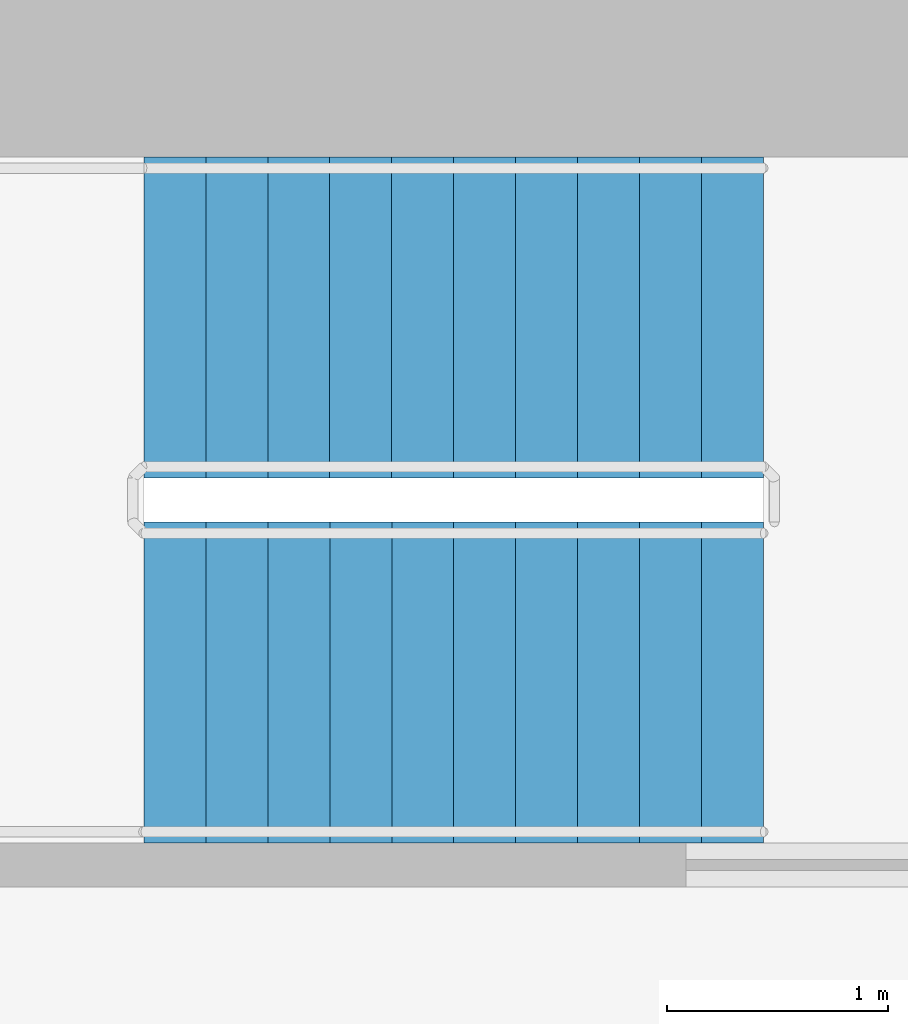
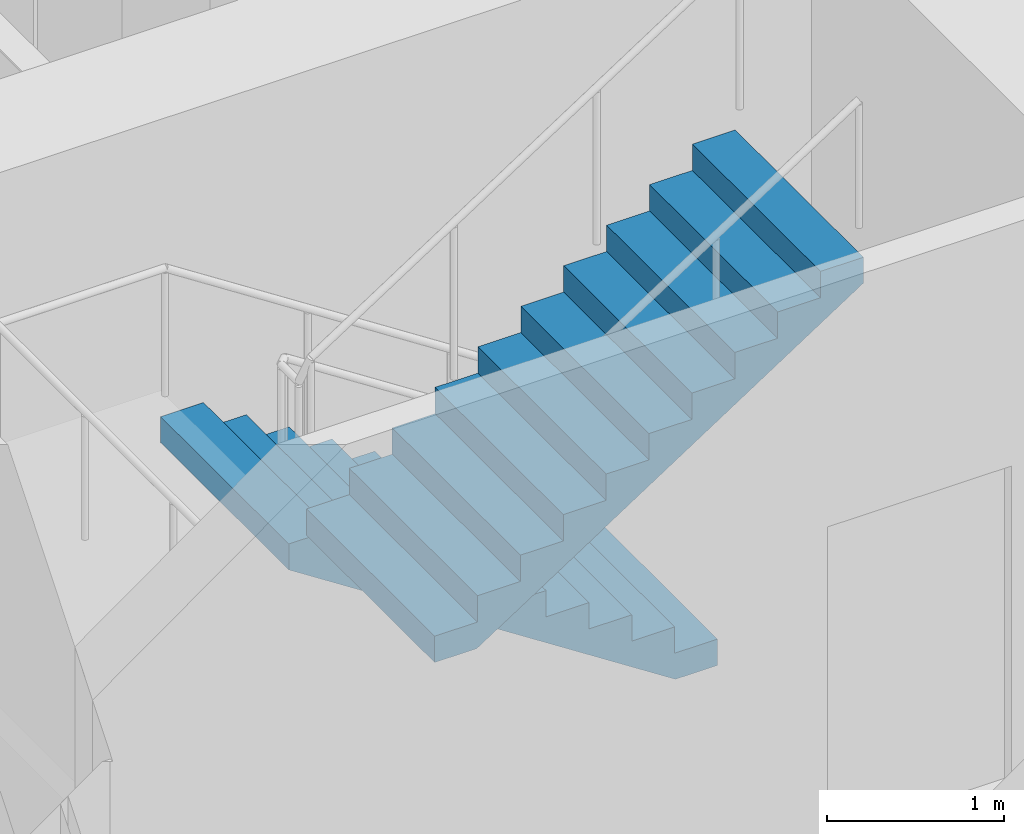
# One storey, part 10 of 12: 2 stair flights, 1 element without a shape of its own.
"""IFC4 building model written with IfcOpenShell, lengths in metres."""

from ifc_helpers import new_model, si_unit, direction, frame, origin, place, context, subcontext, project, spatial, polyline, outline, extrude, material, type_object, element, aggregate, save


model = new_model("IFC4")

# Units and contexts
model_context = context("Model", 3, precision=1e-05, world=origin(), true_north=direction((0.0, 1.0)))
body_context = subcontext(model_context, "Body", "Model", "MODEL_VIEW")
ifc_project = project(units=[si_unit("LENGTHUNIT", "METRE"), si_unit("AREAUNIT", "SQUARE_METRE"), si_unit("VOLUMEUNIT", "CUBIC_METRE"), si_unit("PLANEANGLEUNIT", "RADIAN"), si_unit("MASSUNIT", "GRAM", prefix="KILO")], contexts=[model_context])

# Site, building, storey
site_placement = place(None, origin())
site = spatial("IfcSite", under=ifc_project, at=site_placement, CompositionType="ELEMENT")
building_placement = place(site_placement, origin())
building = spatial("IfcBuilding", under=site, at=building_placement, Name="Verdant Reach Tower", CompositionType="ELEMENT")
storey_placement = place(building_placement, frame((0.0, 0.0, 246.0)))
storey = spatial("IfcBuildingStorey", under=building, at=storey_placement, Name="L56", CompositionType="ELEMENT", Elevation=246.0)

# Stair, stair flights
ifc_material = material(Name="Concrete C40/50", Category="concrete")
stair_type = type_object("IfcStairType", Name="CO-STAIR", PredefinedType="HALF_TURN_STAIR", material=ifc_material)
stair_placement = place(storey_placement, origin())
stair = element("IfcStair", 1, at=stair_placement, inside=storey, type_object=stair_type, Name="L56 Exit stair 3", PredefinedType="HALF_TURN_STAIR")
stair_flight_type = type_object("IfcStairFlightType", Name="CO-STAIR-FLIGHT", PredefinedType="STRAIGHT", material=ifc_material)
stair_flight_1_placement = place(storey_placement, frame((11.14990234375, 36.875, 0.0), z_axis=(0.0, 0.0, 1.0), x_axis=(-1.0, 0.0, 0.0)))
stair_flight_1 = element("IfcStairFlight", 2, at=stair_flight_1_placement, type_object=stair_flight_type, Name="ST-3 flight 1", NumberOfRisers=11, NumberOfTreads=10, PredefinedType="STRAIGHT", RiserHeight=0.181818182, TreadLength=0.28, context=body_context, shape_type="SweptSolid", body=[
    extrude(outline(polyline([(0.0, 0.0), (0.0, 0.181884765625), (0.280029296875, 0.181884765625), (0.280029296875, 0.363525390625), (0.56005859375, 0.363525390625), (0.56005859375, 0.54541015625), (0.840087890625, 0.54541015625), (0.840087890625, 0.727294921875), (1.1201171875, 0.727294921875), (1.1201171875, 0.9091796875), (1.39990234375, 0.9091796875), (1.39990234375, 1.0908203125), (1.679931640625, 1.0908203125), (1.679931640625, 1.272705078125), (1.9599609375, 1.272705078125), (1.9599609375, 1.45458984375), (2.239990234375, 1.45458984375), (2.239990234375, 1.636474609375), (2.52001953125, 1.636474609375), (2.52001953125, 1.818115234375), (2.800048828125, 1.818115234375), (2.800048828125, 2.0), (2.800048828125, 1.639404296875), (0.275146484375, 0.0), (0.0, 0.0)])), frame((0.0, 0.72509765625, 0.0), z_axis=(0.0, -1.0, 0.0), x_axis=(1.0, 0.0, 0.0)), (0.0, 0.0, 1.0), 1.449951171875),
])
stair_flight_2_placement = place(storey_placement, frame((8.35009765625, 35.22509765625, 2.0), z_axis=(0.0, 0.0, 1.0), x_axis=(1.0, 0.0, 0.0)))
stair_flight_2 = element("IfcStairFlight", 3, at=stair_flight_2_placement, type_object=stair_flight_type, Name="ST-3 flight 2", NumberOfRisers=11, NumberOfTreads=10, PredefinedType="STRAIGHT", RiserHeight=0.181818182, TreadLength=0.28, context=body_context, shape_type="SweptSolid", body=[
    extrude(outline(polyline([(0.0, 0.0), (0.0, 0.181884765625), (0.280029296875, 0.181884765625), (0.280029296875, 0.363525390625), (0.56005859375, 0.363525390625), (0.56005859375, 0.54541015625), (0.840087890625, 0.54541015625), (0.840087890625, 0.727294921875), (1.1201171875, 0.727294921875), (1.1201171875, 0.9091796875), (1.39990234375, 0.9091796875), (1.39990234375, 1.0908203125), (1.679931640625, 1.0908203125), (1.679931640625, 1.272705078125), (1.9599609375, 1.272705078125), (1.9599609375, 1.45458984375), (2.239990234375, 1.45458984375), (2.239990234375, 1.636474609375), (2.52001953125, 1.636474609375), (2.52001953125, 1.818115234375), (2.800048828125, 1.818115234375), (2.800048828125, 2.0), (2.800048828125, 1.639404296875), (0.275146484375, 0.0), (0.0, 0.0)])), frame((0.0, 0.72509765625, 0.0), z_axis=(0.0, -1.0, 0.0), x_axis=(1.0, 0.0, 0.0)), (0.0, 0.0, 1.0), 1.449951171875),
])
aggregate(stair, [stair_flight_1, stair_flight_2])

save(model, "model.ifc")
